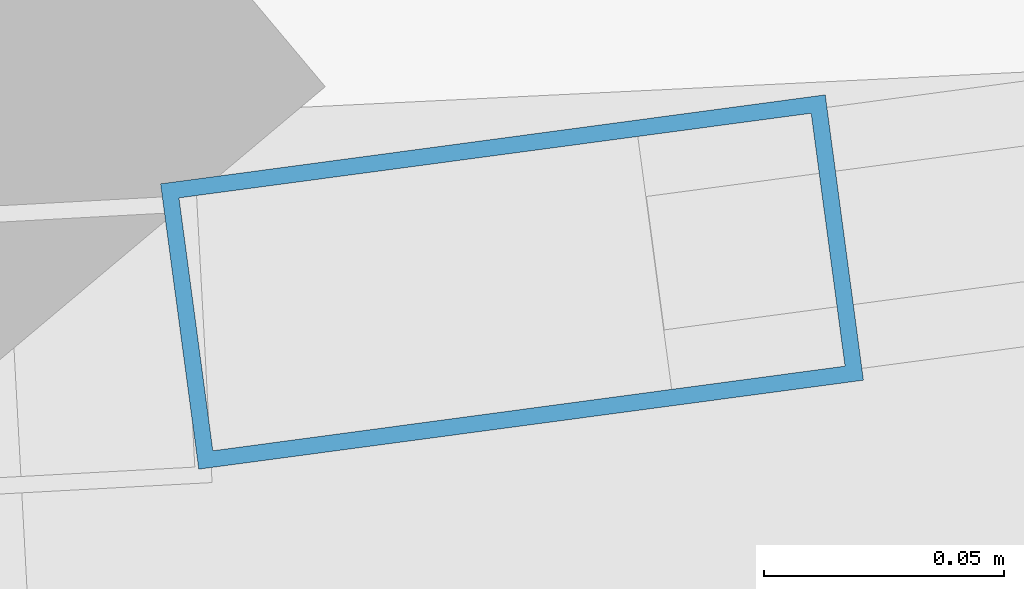
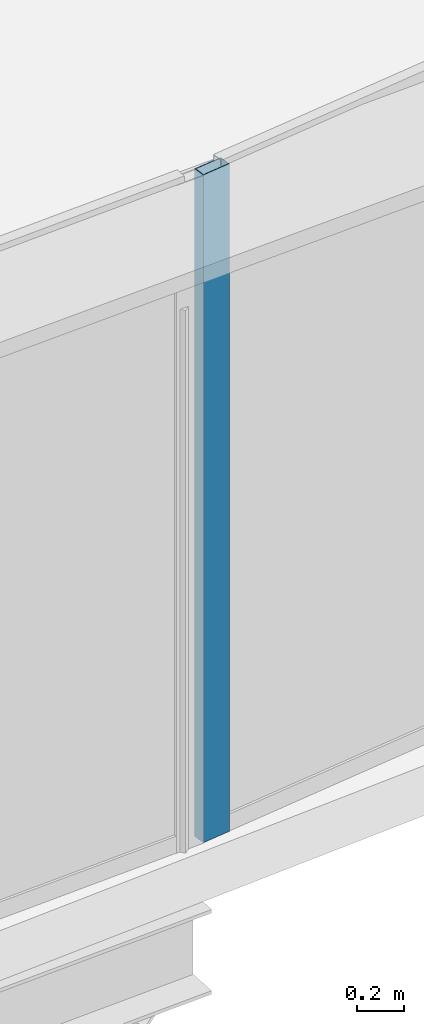
# One storey, part 14 of 37: 1 member, 1 element without a shape of its own.
"""IFC4 building model written with IfcOpenShell, lengths in metres."""

import ifcopenshell
import ifcopenshell.guid

model = None  # the IFC model being written
_history = None  # IfcOwnerHistory: only IFC2X3 demands one
_inside = {}  # id of a spatial element -> (the spatial element, [elements in it])
_under = {}  # id of a project, library or spatial element -> (it, [spatial elements below it])
_declared = {}  # id of a project -> (the project, [libraries it declares])
_typed = {}  # id of a type object -> (the type object, [elements of that type])
_made_of = {}  # id of a material, layer set ... -> (it, [elements and type objects made of it])


def new_model(schema):
    """Start an empty IFC model of exactly this schema.

    Asked for "IFC4X3", IfcOpenShell would pick the latest addendum, in which some entities
    have other attributes; the version numbers below select the first issue.
    IFC2X3 requires an IfcOwnerHistory on every rooted entity: one is made here for all.
    """
    global model, _history
    if schema == "IFC4X3":
        model = ifcopenshell.file(schema_version=(4, 3, 0, 0))
    else:
        model = ifcopenshell.file(schema=schema)
    _inside.clear()
    _under.clear()
    _declared.clear()
    _typed.clear()
    _made_of.clear()
    _history = None
    if model.schema == "IFC2X3":
        org = make("IfcOrganization", Name="unknown")
        user = make(
            "IfcPersonAndOrganization",
            ThePerson=make("IfcPerson", FamilyName="unknown"),
            TheOrganization=org,
        )
        app = make(
            "IfcApplication",
            ApplicationDeveloper=org,
            Version="unknown",
            ApplicationFullName="unknown",
            ApplicationIdentifier="unknown",
        )
        _history = make(
            "IfcOwnerHistory",
            OwningUser=user,
            OwningApplication=app,
            ChangeAction="ADDED",
            CreationDate=0,
        )
    return model


def make(cls, **values):
    """One entity of the class cls with the attributes given. An attribute that is None is left unset."""
    return model.create_entity(
        cls, **{name: value for name, value in values.items() if value is not None}
    )


def rooted(cls, **values):
    """An entity with a GlobalId (a new one), such as an element, a storey or a relation."""
    return make(cls, GlobalId=ifcopenshell.guid.new(), OwnerHistory=_history, **values)


def si_unit(unit_type, name, prefix=None):
    """IfcSIUnit, for example si_unit("LENGTHUNIT", "METRE", prefix="MILLI")."""
    return make("IfcSIUnit", UnitType=unit_type, Prefix=prefix, Name=name)


def assignment(units):
    """IfcUnitAssignment: the units of a project."""
    return None if units is None else make("IfcUnitAssignment", Units=units)


def point(xyz):
    """IfcCartesianPoint."""
    return None if xyz is None else make("IfcCartesianPoint", Coordinates=xyz)


def direction(xyz):
    """IfcDirection."""
    return None if xyz is None else make("IfcDirection", DirectionRatios=xyz)


def frame(location, z_axis=None, x_axis=None):
    """IfcAxis2Placement3D, a coordinate frame: its origin and axes. An axis left out is left unset."""
    return make(
        "IfcAxis2Placement3D",
        Location=point(location),
        Axis=direction(z_axis),
        RefDirection=direction(x_axis),
    )


def frame_2d(location, x_axis=None):
    """IfcAxis2Placement2D, a coordinate frame in the plane: its origin and x axis."""
    return make(
        "IfcAxis2Placement2D", Location=point(location), RefDirection=direction(x_axis)
    )


def origin():
    """The frame at (0, 0, 0) with its axes left unset."""
    return frame((0.0, 0.0, 0.0))


def origin_2d():
    """The frame at (0, 0) in the plane with its x axis left unset."""
    return frame_2d((0.0, 0.0))


def place(relative_to, where):
    """IfcLocalPlacement: puts the frame where relative to a parent placement (None: the world)."""
    return make(
        "IfcLocalPlacement", PlacementRelTo=relative_to, RelativePlacement=where
    )


def context(
    kind, dimensions, precision=None, world=None, true_north=None, identifier=None
):
    """IfcGeometricRepresentationContext, for example the 3D "Model" context."""
    return make(
        "IfcGeometricRepresentationContext",
        ContextIdentifier=identifier,
        ContextType=kind,
        CoordinateSpaceDimension=dimensions,
        Precision=precision,
        WorldCoordinateSystem=world,
        TrueNorth=true_north,
    )


def subcontext(parent, identifier, kind, view, scale=None):
    """IfcGeometricRepresentationSubContext, for example "Body" below "Model"."""
    return make(
        "IfcGeometricRepresentationSubContext",
        ContextIdentifier=identifier,
        ContextType=kind,
        ParentContext=parent,
        TargetScale=scale,
        TargetView=view,
    )


def project(units=None, contexts=None):
    """IfcProject with its units and contexts."""
    return rooted(
        "IfcProject",
        Name="project",
        RepresentationContexts=contexts,
        UnitsInContext=assignment(units),
    )


def spatial(cls, under=None, at=None, **own):
    """A site, building, storey or space (cls), placed at a placement, below another one or the project."""
    s = rooted(cls, ObjectPlacement=at, **own)
    if under is not None:
        _under.setdefault(under.id(), (under, []))[1].append(s)
    return s


def profile(cls, at=None, kind="AREA", **sizes):
    """A parametric profile (cls). Its sizes go by their IFC names, for example OverallWidth=200.0."""
    return make(cls, ProfileType=kind, Position=at, **sizes)


def hollow_rectangle(**sizes):
    """IfcRectangleHollowProfileDef."""
    return profile("IfcRectangleHollowProfileDef", **sizes)


def extrude(swept, where, along, depth):
    """IfcExtrudedAreaSolid: the profile swept, set in the frame where, extruded along a direction by depth."""
    return make(
        "IfcExtrudedAreaSolid",
        SweptArea=swept,
        Position=where,
        ExtrudedDirection=direction(along),
        Depth=depth,
    )


def shape(context_of_items, identifier, shape_type, items):
    """IfcShapeRepresentation: the items that make up one representation, for example the "Body"."""
    return make(
        "IfcShapeRepresentation",
        ContextOfItems=context_of_items,
        RepresentationIdentifier=identifier,
        RepresentationType=shape_type,
        Items=items,
    )


def source(mapping_origin, context_of_items, identifier, shape_type, items):
    """IfcRepresentationMap: a shape defined once, which mapped items show again and again."""
    return make(
        "IfcRepresentationMap",
        MappingOrigin=mapping_origin,
        MappedRepresentation=shape(context_of_items, identifier, shape_type, items),
    )


def transform(
    local_origin,
    x_axis=None,
    y_axis=None,
    z_axis=None,
    scale=None,
    scale2=None,
    scale3=None,
    uniform=True,
):
    """IfcCartesianTransformationOperator3D, or its non-uniform kind. x_axis, y_axis, z_axis: its Axis1, 2, 3."""
    if uniform:
        return make(
            "IfcCartesianTransformationOperator3D",
            Axis1=direction(x_axis),
            Axis2=direction(y_axis),
            LocalOrigin=point(local_origin),
            Scale=scale,
            Axis3=direction(z_axis),
        )
    return make(
        "IfcCartesianTransformationOperator3DnonUniform",
        Axis1=direction(x_axis),
        Axis2=direction(y_axis),
        LocalOrigin=point(local_origin),
        Scale=scale,
        Axis3=direction(z_axis),
        Scale2=scale2,
        Scale3=scale3,
    )


def mapped(mapping_source, mapping_target):
    """IfcMappedItem: shows the shape of a source again, moved by a transform."""
    return make(
        "IfcMappedItem", MappingSource=mapping_source, MappingTarget=mapping_target
    )


def material(Name=None, Category=None):
    """IfcMaterial."""
    return make("IfcMaterial", Name=Name, Category=Category)


def layer(
    of_material, thickness, ventilated=None, Name=None, Category=None, Priority=None
):
    """IfcMaterialLayer: one layer of a wall or slab, of a material (None: an air gap)."""
    return make(
        "IfcMaterialLayer",
        Material=of_material,
        LayerThickness=thickness,
        IsVentilated=ventilated,
        Name=Name,
        Category=Category,
        Priority=Priority,
    )


def layer_set(layers, Name=None):
    """IfcMaterialLayerSet."""
    return make("IfcMaterialLayerSet", MaterialLayers=layers, LayerSetName=Name)


def material_profile(
    of_material, cross_section, Name=None, Category=None, Priority=None
):
    """IfcMaterialProfile: a cross section and its material."""
    return make(
        "IfcMaterialProfile",
        Name=Name,
        Material=of_material,
        Profile=cross_section,
        Priority=Priority,
        Category=Category,
    )


def profile_set(profiles, Name=None, composite=None):
    """IfcMaterialProfileSet."""
    return make(
        "IfcMaterialProfileSet",
        Name=Name,
        MaterialProfiles=profiles,
        CompositeProfile=composite,
    )


def made_of(thing, what):
    """Note that an element or type object is made of a material, layer set ...; save() writes the relation."""
    if what is not None:
        _made_of.setdefault(what.id(), (what, []))[1].append(thing)
    return thing


def type_object(cls, material=None, **own):
    """A type object (cls), such as IfcWallType, which elements share."""
    return made_of(rooted(cls, **own), material)


def element(
    cls,
    number,
    at=None,
    inside=None,
    cuts=None,
    type_object=None,
    material=None,
    context=None,
    identifier="Body",
    shape_type=None,
    held_by="IfcProductDefinitionShape",
    body=None,
    shapes=None,
    **own,
):
    """One element of the class cls, such as IfcWall. Its Tag is "e" and its number.

    at: its placement. inside: the storey or other place that contains it. cuts: it is an
    opening in that element (IfcRelVoidsElement). A single representation is given by context,
    identifier, shape_type and body (its items); several are given by shapes. held_by: the class
    of the entity that holds the representations. save() writes the other relations.
    """
    e = rooted(cls, Tag="e%d" % number, ObjectPlacement=at, **own)
    if body is not None:
        shapes = [shape(context, identifier, shape_type, body)]
    if shapes is not None:
        e.Representation = make(held_by, Representations=shapes)
    if inside is not None:
        _inside.setdefault(inside.id(), (inside, []))[1].append(e)
    if cuts is not None:
        rooted(
            "IfcRelVoidsElement", RelatingBuildingElement=cuts, RelatedOpeningElement=e
        )
    if type_object is not None:
        _typed.setdefault(type_object.id(), (type_object, []))[1].append(e)
    return made_of(e, material)


def aggregate(whole, parts):
    """IfcRelAggregates: a whole, such as a stair, and the parts it consists of."""
    return rooted("IfcRelAggregates", RelatingObject=whole, RelatedObjects=parts)


def save(model, path):
    """Write the relations noted so far, then the file.

    IfcRelAggregates (storeys below a building ...), IfcRelContainedInSpatialStructure (elements
    in a storey), IfcRelDefinesByType, IfcRelAssociatesMaterial and IfcRelDeclares: one each for
    every whole, place, type object, material and project.
    """
    for whole, parts in _under.values():
        aggregate(whole, parts)
    for where, things in _inside.values():
        rooted(
            "IfcRelContainedInSpatialStructure",
            RelatedElements=things,
            RelatingStructure=where,
        )
    for kind, things in _typed.values():
        rooted("IfcRelDefinesByType", RelatedObjects=things, RelatingType=kind)
    for what, things in _made_of.values():
        rooted("IfcRelAssociatesMaterial", RelatedObjects=things, RelatingMaterial=what)
    for by, libraries in _declared.values():
        rooted("IfcRelDeclares", RelatingContext=by, RelatedDefinitions=libraries)
    model.write(path)


model = new_model("IFC4")

# Units and contexts
model_context = context("Model", 3, precision=1e-05, world=origin(), true_north=direction((0.0, 1.0)))
body_context = subcontext(model_context, "Body", "Model", "MODEL_VIEW")
ifc_project = project(units=[si_unit("LENGTHUNIT", "METRE"), si_unit("AREAUNIT", "SQUARE_METRE"), si_unit("VOLUMEUNIT", "CUBIC_METRE"), si_unit("PLANEANGLEUNIT", "RADIAN"), si_unit("MASSUNIT", "GRAM", prefix="KILO"), si_unit("THERMODYNAMICTEMPERATUREUNIT", "KELVIN"), si_unit("POWERUNIT", "WATT")], contexts=[model_context])

# Site, building, storey
site_placement = place(None, origin())
site = spatial("IfcSite", under=ifc_project, at=site_placement, CompositionType="ELEMENT")
building_placement = place(site_placement, origin())
building = spatial("IfcBuilding", under=site, at=building_placement, Name="Yunzhuo Pagoda Commons", CompositionType="ELEMENT")
storey_placement = place(building_placement, frame((0.0, 0.0, 259.449951171875)))
storey = spatial("IfcBuildingStorey", under=building, at=storey_placement, Name="L65", CompositionType="ELEMENT", Elevation=259.449951171875)

# Curtain wall, member
ifc_material = material(Name="Anodized aluminium 6063-T6", Category="aluminium")
ifc_layer = layer(ifc_material, 0.139892578125)
ifc_layer_set = layer_set([ifc_layer], Name="Anodized aluminium 6063-T6")
curtain_wall_type = type_object("IfcCurtainWallType", Name="CW-HI High-Zone Ribbon Curtain Wall", PredefinedType="NOTDEFINED", material=ifc_layer_set)
curtain_wall_placement = place(storey_placement, origin())
curtain_wall = element("IfcCurtainWall", 1, at=curtain_wall_placement, inside=storey, type_object=curtain_wall_type, Name="L65 curtain wall CW-L65-F1B5", PredefinedType="NOTDEFINED")
ifc_material_profile = material_profile(ifc_material, hollow_rectangle(XDim=0.06005859375, YDim=0.139892578125, WallThickness=0.00341796875, at=origin_2d()), Name="Anodized aluminium 6063-T6")
ifc_profile_set = profile_set([ifc_material_profile], Name="Anodized aluminium 6063-T6")
member_type = type_object("IfcMemberType", Name="CW-HI-M Mullion RHS 140x60x3.5", PredefinedType="MULLION", material=ifc_profile_set)
shared_shape = source(origin(), body_context, "Body", "SweptSolid", [
    extrude(hollow_rectangle(XDim=0.06005859375, YDim=0.139892578125, WallThickness=0.00341796875, at=origin_2d()), origin(), (0.0, 0.0, 1.0), 3.469970703125),
])
member_placement = place(storey_placement, frame((61.699462890625, 17.511474609375, 0.0), z_axis=(0.0, 0.0, 1.0), x_axis=(-0.132663916926, 0.991161079314, 0.0)))
member = element("IfcMember", 2, at=member_placement, type_object=member_type, Name="CW mullion 1", PredefinedType="MULLION", context=body_context, shape_type="MappedRepresentation", body=[
    mapped(shared_shape, transform((0.0, 0.0, 0.0), scale=1.0)),
])
aggregate(curtain_wall, [member])

save(model, "model.ifc")
